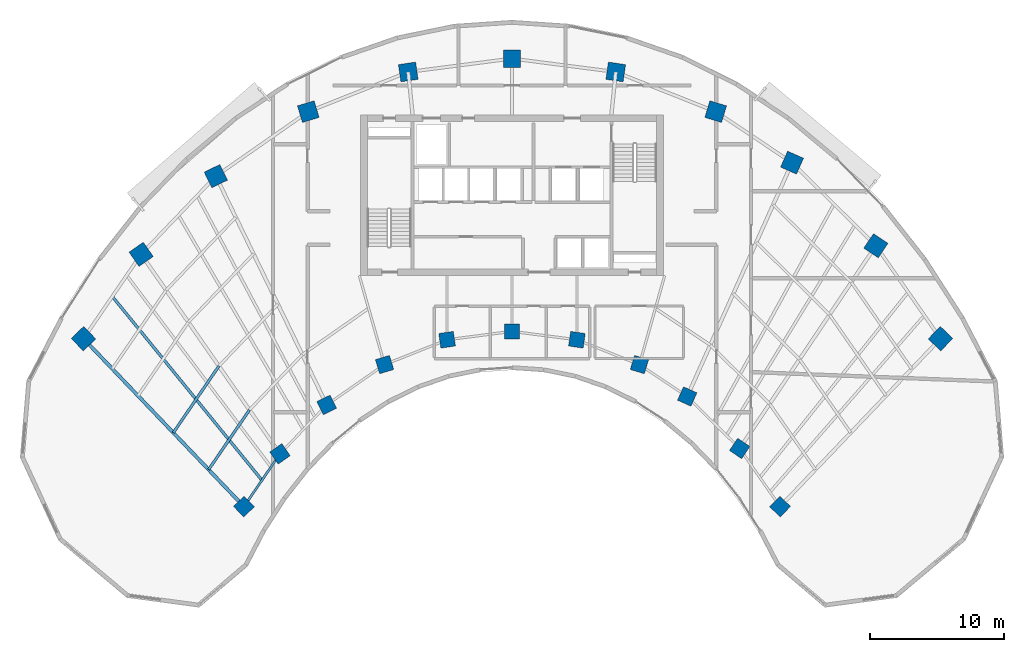
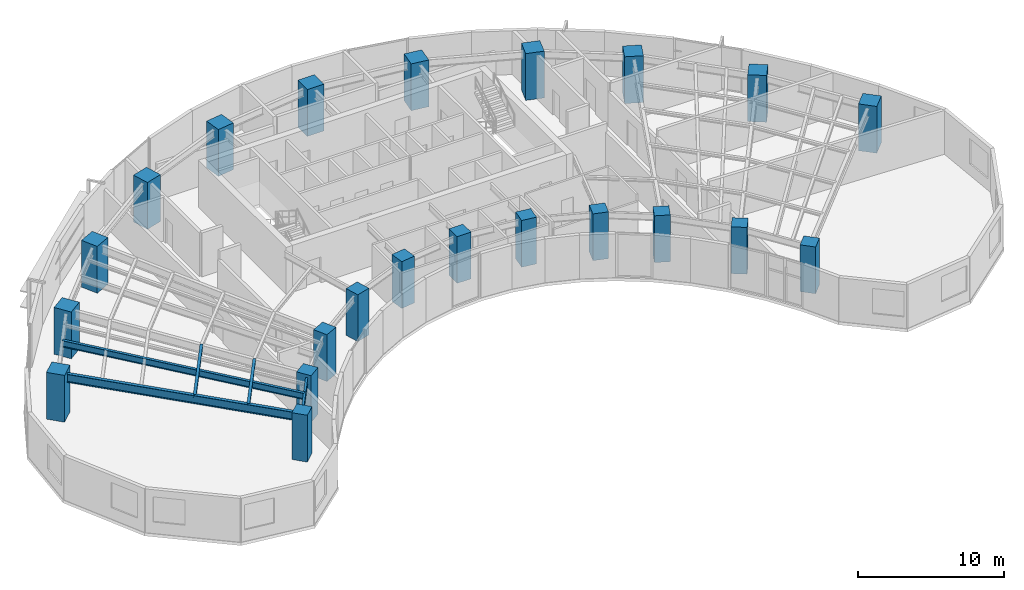
# One storey, part 1 of 13: 22 columns, 5 beams.
"""IFC4 building model written with IfcOpenShell, lengths in metres."""

from ifc_helpers import new_model, si_unit, direction, frame, origin, origin_2d, place, context, subcontext, project, spatial, rectangle, i_section, extrude, source, transform, mapped, material, material_profile, profile_set, type_object, type_shapes, element, save


model = new_model("IFC4")

# Units and contexts
model_context = context("Model", 3, precision=1e-05, world=origin(), true_north=direction((0.0, 1.0)))
body_context = subcontext(model_context, "Body", "Model", "MODEL_VIEW")
ifc_project = project(units=[si_unit("LENGTHUNIT", "METRE"), si_unit("AREAUNIT", "SQUARE_METRE"), si_unit("VOLUMEUNIT", "CUBIC_METRE"), si_unit("PLANEANGLEUNIT", "RADIAN"), si_unit("MASSUNIT", "GRAM", prefix="KILO")], contexts=[model_context])

# Site, building, storey
site_placement = place(None, origin())
site = spatial("IfcSite", under=ifc_project, at=site_placement, CompositionType="ELEMENT")
building_placement = place(site_placement, origin())
building = spatial("IfcBuilding", under=site, at=building_placement, Name="Breltana Convention Tower", CompositionType="ELEMENT")
storey_placement = place(building_placement, frame((0.0, 0.0, 127.199951171875)))
storey = spatial("IfcBuildingStorey", under=building, at=storey_placement, Name="L30", CompositionType="ELEMENT", Elevation=127.199951171875)

# Columns
ifc_material_1 = material(Name="Concrete C60/75", Category="concrete")
ifc_material_profile_1 = material_profile(ifc_material_1, rectangle(XDim=1.10009765625, YDim=1.10009765625, at=origin_2d()), Name="RC-COL-1100X1100")
ifc_profile_set_1 = profile_set([ifc_material_profile_1], Name="Concrete C60/75")
column_type_1 = type_object("IfcColumnType", Name="COL-RC-1100", PredefinedType="COLUMN", material=ifc_profile_set_1)
shared_shape_1 = source(origin(), body_context, "Body", "SweptSolid", [
    extrude(rectangle(XDim=1.10009765625, YDim=1.10009765625, at=origin_2d()), origin(), (0.0, 0.0, 1.0), 3.900146484375),
])
for number, where, z_axis, x_axis, name in (
    (1, (27.984619140625, 42.95458984375, 0.0), (0.0, 0.0, 1.0), (-0.690756218984, 0.723087716626, 0.0), "L30 Tower Column R01-IN"),
    (2, (30.67724609375, 46.892333984375, 0.0), (0.0, 0.0, 1.0), (-0.571143442153, 0.820850271661, 0.0), "L30 Tower Column R02-IN"),
    (3, (34.166259765625, 50.544921875, 0.0), (0.0, 0.0, 1.0), (-0.436173672171, 0.899862504889, 0.0), "L30 Tower Column R03-IN"),
    (4, (38.485107421875, 53.5576171875, 0.0), (0.0, 0.0, 1.0), (-0.288697611798, 0.957420330337, 0.0), "L30 Tower Column R04-IN"),
    (5, (43.153564453125, 55.41064453125, 0.0), (0.0, 0.0, 1.0), (-0.143492621991, 0.98965138682, 0.0), "L30 Tower Column R05-IN"),
    (6, (48.0, 56.035888671875, 0.0), (0.0, 0.0, 1.0), (0.0, 1.0, 0.0), "L30 Tower Column R06-IN"),
    (7, (52.846435546875, 55.41064453125, 0.0), (0.0, 0.0, 1.0), (0.143492621991, 0.98965138682, 0.0), "L30 Tower Column R07-IN"),
    (8, (57.514892578125, 53.5576171875, 0.0), (0.0, 0.0, 1.0), (0.288697611798, 0.957420330337, 0.0), "L30 Tower Column R08-IN"),
    (9, (61.08203125, 51.174560546875, 0.0), (0.0, 0.0, 1.0), (0.409126902895, 0.912477494148, 0.0), "L30 Tower Column R09-IN"),
    (10, (64.995849609375, 47.293701171875, 0.0), (0.0, 0.0, 1.0), (0.55774510898, 0.830012285095, 0.0), "L30 Tower Column R10-IN"),
    (11, (68.015380859375, 42.95458984375, 0.0), (0.0, 0.0, 1.0), (0.690756218984, 0.723087716626, 0.0), "L30 Tower Column R11-IN"),
):
    element("IfcColumn", number, at=place(storey_placement, frame(where, z_axis=z_axis, x_axis=x_axis)), inside=storey, type_object=column_type_1, Name=name, PredefinedType="COLUMN", context=body_context, shape_type="MappedRepresentation", body=[
        mapped(shared_shape_1, transform((0.0, 0.0, 0.0), scale=1.0)),
    ])
ifc_material_profile_2 = material_profile(ifc_material_1, rectangle(XDim=1.300048828125, YDim=1.300048828125, at=origin_2d()), Name="RC-COL-1300X1300")
ifc_profile_set_2 = profile_set([ifc_material_profile_2], Name="Concrete C60/75")
column_type_2 = type_object("IfcColumnType", Name="COL-RC-1300", PredefinedType="COLUMN", material=ifc_profile_set_2)
shared_shape_2 = source(origin(), body_context, "Body", "SweptSolid", [
    extrude(rectangle(XDim=1.300048828125, YDim=1.300048828125, at=origin_2d()), origin(), (0.0, 0.0, 1.0), 3.900146484375),
])
for number, where, z_axis, x_axis, name in (
    (12, (16.0068359375, 55.494384765625, 0.0), (0.0, 0.0, 1.0), (-0.690756218984, 0.723087716626, 0.0), "L30 Tower Column R01-OUT"),
    (13, (20.310791015625, 61.78857421875, 0.0), (0.0, 0.0, 1.0), (-0.571143442153, 0.820850271661, 0.0), "L30 Tower Column R02-OUT"),
    (14, (25.8876953125, 67.626953125, 0.0), (0.0, 0.0, 1.0), (-0.436173672171, 0.899862504889, 0.0), "L30 Tower Column R03-OUT"),
    (15, (32.791015625, 72.4423828125, 0.0), (0.0, 0.0, 1.0), (-0.288697611798, 0.957420330337, 0.0), "L30 Tower Column R04-OUT"),
    (16, (40.253173828125, 75.404296875, 0.0), (0.0, 0.0, 1.0), (-0.143492621991, 0.98965138682, 0.0), "L30 Tower Column R05-OUT"),
    (17, (48.0, 76.404052734375, 0.0), (0.0, 0.0, 1.0), (0.0, 1.0, 0.0), "L30 Tower Column R06-OUT"),
    (18, (55.746826171875, 75.404296875, 0.0), (0.0, 0.0, 1.0), (0.143492621991, 0.98965138682, 0.0), "L30 Tower Column R07-OUT"),
    (19, (63.208984375, 72.4423828125, 0.0), (0.0, 0.0, 1.0), (0.288697611798, 0.957420330337, 0.0), "L30 Tower Column R08-OUT"),
    (20, (68.910400390625, 68.63330078125, 0.0), (0.0, 0.0, 1.0), (0.409126902895, 0.912477494148, 0.0), "L30 Tower Column R09-OUT"),
    (21, (75.166748046875, 62.43017578125, 0.0), (0.0, 0.0, 1.0), (0.55774510898, 0.830012285095, 0.0), "L30 Tower Column R10-OUT"),
    (22, (79.9931640625, 55.494384765625, 0.0), (0.0, 0.0, 1.0), (0.690756218984, 0.723087716626, 0.0), "L30 Tower Column R11-OUT"),
):
    element("IfcColumn", number, at=place(storey_placement, frame(where, z_axis=z_axis, x_axis=x_axis)), inside=storey, type_object=column_type_2, Name=name, PredefinedType="COLUMN", context=body_context, shape_type="MappedRepresentation", body=[
        mapped(shared_shape_2, transform((0.0, 0.0, 0.0), scale=1.0)),
    ])

# Beams
ifc_material_2 = material(Name="Steel ASTM A992 Grade 50", Category="steel")
ifc_material_profile_3 = material_profile(ifc_material_2, i_section(OverallWidth=0.25390625, OverallDepth=0.68798828125, WebThickness=0.01318359375, FlangeThickness=0.02099609375, at=origin_2d()), Name="W27X102")
ifc_profile_set_3 = profile_set([ifc_material_profile_3], Name="Steel ASTM A992 Grade 50")
beam_type_1 = type_object("IfcBeamType", Name="BM-RG-W27X102", PredefinedType="USERDEFINED", material=ifc_profile_set_3)
shared_shape_3 = source(origin(), body_context, "Body", "SweptSolid", [
    extrude(i_section(OverallWidth=0.25390625, OverallDepth=0.68798828125, WebThickness=0.01318359375, FlangeThickness=0.02099609375, at=origin_2d()), origin(), (0.0, 0.0, 1.0), 17.341064453125),
])
type_shapes(beam_type_1, [shared_shape_3])
beam_1_placement = place(storey_placement, frame((27.984619140625, 42.95458984375, 3.30615234375), z_axis=(-0.690716462293, 0.723125693581, 0.0), x_axis=(-0.723125693581, -0.690716462293, 0.0)))
element("IfcBeam", 23, at=beam_1_placement, inside=storey, type_object=beam_type_1, Name="L30 Radial Floor Girder R01", ObjectType="GIRDER", PredefinedType="USERDEFINED", context=body_context, shape_type="MappedRepresentation", body=[
    mapped(shared_shape_3, transform((0.0, 0.0, 0.0), scale=1.0)),
])
ifc_material_profile_4 = material_profile(ifc_material_2, i_section(OverallWidth=0.166015625, OverallDepth=0.534912109375, WebThickness=0.01025390625, FlangeThickness=0.0166015625, at=origin_2d()), Name="W21X57")
ifc_profile_set_4 = profile_set([ifc_material_profile_4], Name="Steel ASTM A992 Grade 50")
beam_type_2 = type_object("IfcBeamType", Name="BM-BM-W21X57", PredefinedType="BEAM", material=ifc_profile_set_4)
shared_shape_4 = source(origin(), body_context, "Body", "SweptSolid", [
    extrude(i_section(OverallWidth=0.166015625, OverallDepth=0.534912109375, WebThickness=0.01025390625, FlangeThickness=0.0166015625, at=origin_2d()), origin(), (0.0, 0.0, 1.0), 4.770263671875),
])
beam_2_placement = place(storey_placement, frame((27.984619140625, 42.95458984375, 3.382568359375), z_axis=(0.564452719055, 0.82546540082, 0.0), x_axis=(-0.82546540082, 0.564452719055, 0.0)))
element("IfcBeam", 24, at=beam_2_placement, inside=storey, type_object=beam_type_2, Name="L30 Inner Ring Beam 01", PredefinedType="BEAM", context=body_context, shape_type="MappedRepresentation", body=[
    mapped(shared_shape_4, transform((0.0, 0.0, 0.0), scale=1.0)),
])
ifc_material_profile_5 = material_profile(ifc_material_2, i_section(OverallWidth=0.201904296875, OverallDepth=0.2470703125, WebThickness=0.00732421875, FlangeThickness=0.010986328125, at=origin_2d()), Name="W10X33")
ifc_profile_set_5 = profile_set([ifc_material_profile_5], Name="Steel ASTM A992 Grade 50")
beam_type_3 = type_object("IfcBeamType", Name="BM-JSG-11", PredefinedType="JOIST", material=ifc_profile_set_5)
shared_shape_5 = source(origin(), body_context, "Body", "SweptSolid", [
    extrude(i_section(OverallWidth=0.201904296875, OverallDepth=0.2470703125, WebThickness=0.00732421875, FlangeThickness=0.010986328125, at=origin_2d()), origin(), (0.0, 0.0, 1.0), 5.3984375),
])
beam_3_placement = place(storey_placement, frame((25.349365234375, 45.71337890625, 3.526611328125), z_axis=(0.564440705434, 0.825473615599, 0.0), x_axis=(-0.825473615599, 0.564440705434, 0.0)))
element("IfcBeam", 25, at=beam_3_placement, inside=storey, type_object=beam_type_3, Name="L30 Composite Floor Joist 01.1", PredefinedType="JOIST", context=body_context, shape_type="MappedRepresentation", body=[
    mapped(shared_shape_5, transform((0.0, 0.0, 0.0), scale=1.0)),
])
shared_shape_6 = source(origin(), body_context, "Body", "SweptSolid", [
    extrude(i_section(OverallWidth=0.201904296875, OverallDepth=0.2470703125, WebThickness=0.00732421875, FlangeThickness=0.010986328125, at=origin_2d()), origin(), (0.0, 0.0, 1.0), 6.0263671875),
])
beam_4_placement = place(storey_placement, frame((22.71435546875, 48.47216796875, 3.526611328125), z_axis=(0.564450071397, 0.825467211281, 0.0), x_axis=(-0.825467211281, 0.564450071397, 0.0)))
element("IfcBeam", 26, at=beam_4_placement, inside=storey, type_object=beam_type_3, Name="L30 Composite Floor Joist 01.2", PredefinedType="JOIST", context=body_context, shape_type="MappedRepresentation", body=[
    mapped(shared_shape_6, transform((0.0, 0.0, 0.0), scale=1.0)),
])
ifc_material_profile_6 = material_profile(ifc_material_2, i_section(OverallWidth=0.2099609375, OverallDepth=0.537109375, WebThickness=0.010986328125, FlangeThickness=0.017333984375, at=origin_2d()), Name="W21X68")
ifc_profile_set_6 = profile_set([ifc_material_profile_6], Name="Steel ASTM A992 Grade 50")
beam_type_4 = type_object("IfcBeamType", Name="BM-JSG-04", PredefinedType="JOIST", material=ifc_profile_set_6)
shared_shape_7 = source(origin(), body_context, "Body", "SweptSolid", [
    extrude(i_section(OverallWidth=0.2099609375, OverallDepth=0.537109375, WebThickness=0.010986328125, FlangeThickness=0.017333984375, at=origin_2d()), origin(), (0.0, 0.0, 1.0), 17.691650390625),
])
beam_5_placement = place(storey_placement, frame((29.330810546875, 44.923583984375, 3.381591796875), z_axis=(-0.631476958478, 0.775394642044, 0.0), x_axis=(-0.775394642044, -0.631476958478, 0.0)))
element("IfcBeam", 27, at=beam_5_placement, inside=storey, type_object=beam_type_4, Name="L30 Mid-Bay Radial Trimmer 01", PredefinedType="JOIST", context=body_context, shape_type="MappedRepresentation", body=[
    mapped(shared_shape_7, transform((0.0, 0.0, 0.0), scale=1.0)),
])

save(model, "model.ifc")
